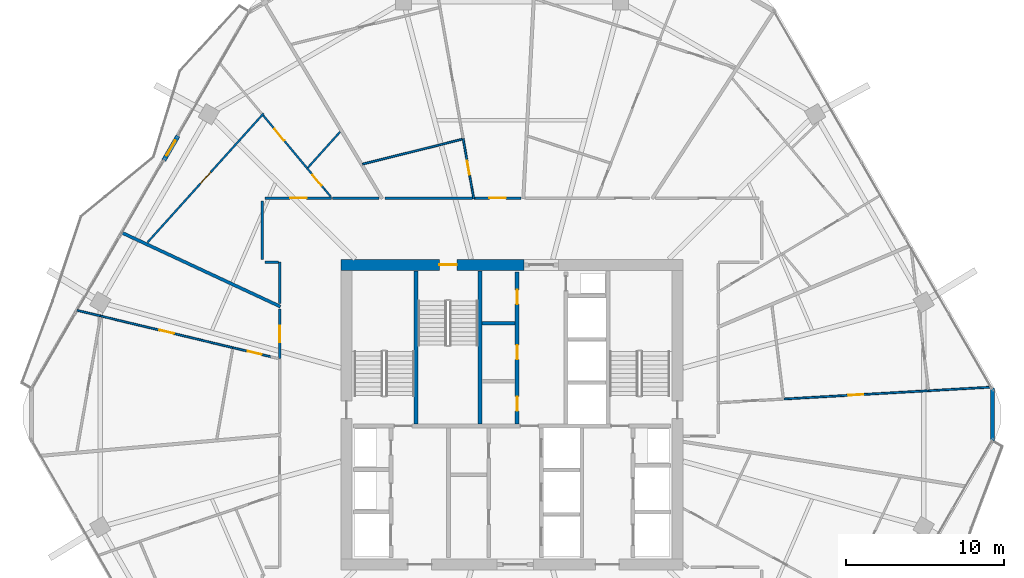
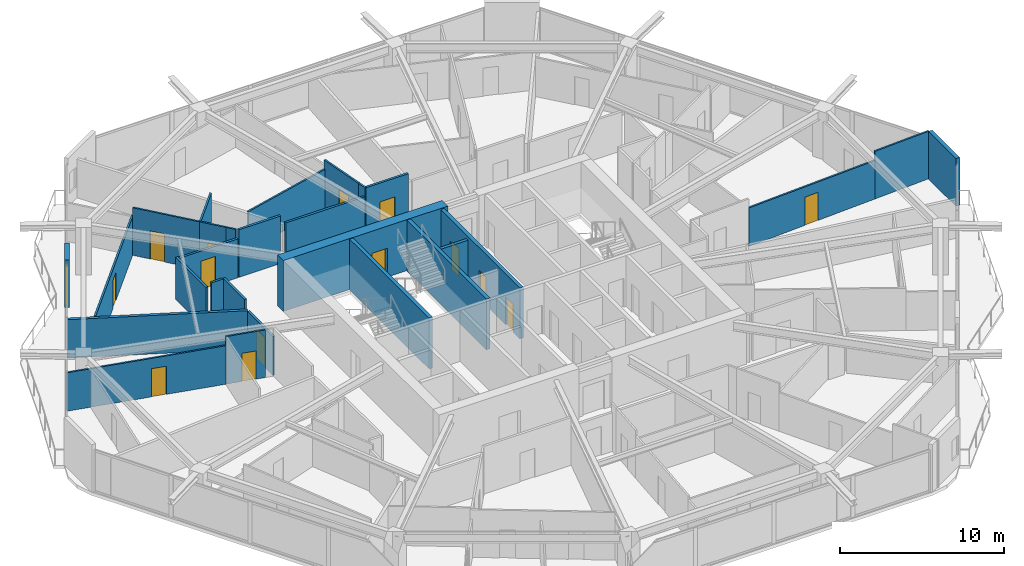
# One storey, part 20 of 26: 29 walls, 15 doors, 15 openings.
"""IFC4 building model written with IfcOpenShell, lengths in metres."""

from ifc_helpers import new_model, si_unit, direction, frame, frame_2d, origin, place, context, subcontext, project, spatial, rectangle, extrude, material, layer, layer_set, type_object, element, fill, save


model = new_model("IFC4")

# Units and contexts
model_context = context("Model", 3, precision=1e-05, world=origin(), true_north=direction((0.0, 1.0)))
body_context = subcontext(model_context, "Body", "Model", "MODEL_VIEW")
ifc_project = project(units=[si_unit("LENGTHUNIT", "METRE"), si_unit("AREAUNIT", "SQUARE_METRE"), si_unit("VOLUMEUNIT", "CUBIC_METRE"), si_unit("PLANEANGLEUNIT", "RADIAN"), si_unit("MASSUNIT", "GRAM", prefix="KILO")], contexts=[model_context])

# Site, building, storey
site_placement = place(None, origin())
site = spatial("IfcSite", under=ifc_project, at=site_placement, CompositionType="ELEMENT")
building_placement = place(site_placement, origin())
building = spatial("IfcBuilding", under=site, at=building_placement, Name="Zuhravey Tower", CompositionType="ELEMENT")
storey_placement = place(building_placement, frame((0.0, 0.0, 165.60009765625)))
storey = spatial("IfcBuildingStorey", under=building, at=storey_placement, Name="L41", CompositionType="ELEMENT", Elevation=165.60009765625)

# Wall, opening, door
ifc_material_1 = material(Name="Concrete C60/75", Category="concrete")
ifc_layer_1 = layer(ifc_material_1, 0.699951171875)
ifc_layer_set_1 = layer_set([ifc_layer_1], Name="Concrete C60/75")
wall_type_1 = type_object("IfcWallType", Name="Core Shear Wall 700", PredefinedType="SHEAR", material=ifc_layer_set_1)
wall_1_placement = place(storey_placement, frame((36.75, 41.5, 0.0), z_axis=(0.0, 0.0, 1.0), x_axis=(-1.0, 0.0, 0.0)))
wall_1 = element("IfcWall", 1, at=wall_1_placement, inside=storey, type_object=wall_type_1, Name="L41 North-West Core Shear Wall CW70", PredefinedType="SHEAR", context=body_context, shape_type="SweptSolid", body=[
    extrude(rectangle(XDim=11.60009765625, YDim=0.699951171875, at=frame_2d((5.800048828125, 0.0))), origin(), (0.0, 0.0, 1.0), 3.7998046875),
])
opening_1_placement = place(wall_1_placement, frame((4.25, 0.0, 0.0)))
opening_1 = element("IfcOpeningElement", 2, at=opening_1_placement, cuts=wall_1, Name="Opening STD1", PredefinedType="OPENING", context=body_context, shape_type="SweptSolid", body=[
    extrude(rectangle(XDim=1.10009765625, YDim=2.14990234375, at=frame_2d((0.550048828125, 1.074951171875))), frame((0.0, 0.362060546875, 0.0), z_axis=(0.0, -1.0, 0.0), x_axis=(1.0, 0.0, 0.0)), (0.0, 0.0, 1.0), 0.723876953125),
])
ifc_material_2 = material(Name="Galvanised fire-rated steel leaf", Category="steel")
door_type_1 = type_object("IfcDoorType", Name="Protected Stair Fire Door 1100x2150", OperationType="NOTDEFINED", PredefinedType="USERDEFINED", material=ifc_material_2)
door_1_placement = place(opening_1_placement, origin())
door_1 = element("IfcDoor", 3, at=door_1_placement, inside=storey, type_object=door_type_1, Name="L41 Stair ST3 Door", ObjectType="EXITDOOR", OperationType="SINGLE_SWING_RIGHT", OverallHeight=2.14990234375, OverallWidth=1.10009765625, PredefinedType="USERDEFINED", context=body_context, shape_type="SweptSolid", body=[
    extrude(rectangle(XDim=1.10009765625, YDim=2.14990234375, at=frame_2d((0.550048828125, 1.074951171875))), frame((0.0, 0.02490234375, 0.0), z_axis=(0.0, -1.0, 0.0), x_axis=(1.0, 0.0, 0.0)), (0.0, 0.0, 1.0), 0.050048828125),
])
fill(opening_1, door_1)

ifc_material_3 = material(Name="Gypsum fire-rated stud partition")
ifc_layer_2 = layer(ifc_material_3, 0.159912109375)
ifc_layer_set_2 = layer_set([ifc_layer_2], Name="Gypsum fire-rated stud partition")
wall_type_2 = type_object("IfcWallType", Name="Corridor Fire Partition 160", PredefinedType="PARTITIONING", material=ifc_layer_set_2)
wall_2_placement = place(storey_placement, frame((36.579345703125, 45.72998046875, 0.0), z_axis=(0.0, 0.0, 1.0), x_axis=(-1.0, 0.0, 0.0)))
wall_2 = element("IfcWall", 4, at=wall_2_placement, inside=storey, type_object=wall_type_2, Name="L41 IW16 Partition 032", PredefinedType="PARTITIONING", context=body_context, shape_type="SweptSolid", body=[
    extrude(rectangle(XDim=2.98974609375, YDim=0.159912109375, at=frame_2d((1.494873046875, 0.0))), origin(), (0.0, 0.0, 1.0), 3.5498046875),
])
opening_2_placement = place(wall_2_placement, frame((0.969970703125, 0.0, 0.0)))
opening_2 = element("IfcOpeningElement", 5, at=opening_2_placement, cuts=wall_2, Name="Opening APD1", PredefinedType="OPENING", context=body_context, shape_type="SweptSolid", body=[
    extrude(rectangle(XDim=1.050048828125, YDim=2.14990234375, at=frame_2d((0.52490234375, 1.074951171875))), frame((0.0, 0.092041015625, 0.0), z_axis=(0.0, -1.0, 0.0), x_axis=(1.0, 0.0, 0.0)), (0.0, 0.0, 1.0), 0.183837890625),
])
ifc_material_4 = material(Name="Solid-core oak fire-rated leaf")
door_type_2 = type_object("IfcDoorType", Name="Apartment Entrance Fire Door 1050x2150", OperationType="NOTDEFINED", PredefinedType="DOOR", material=ifc_material_4)
door_2_placement = place(opening_2_placement, frame((1.050048828125, 0.0, 0.0), z_axis=(0.0, 0.0, 1.0), x_axis=(-1.0, 0.0, 0.0)))
door_2 = element("IfcDoor", 6, at=door_2_placement, inside=storey, type_object=door_type_2, Name="L41 Door 032.1", OperationType="SINGLE_SWING_RIGHT", OverallHeight=2.14990234375, OverallWidth=1.050048828125, PredefinedType="DOOR", context=body_context, shape_type="SweptSolid", body=[
    extrude(rectangle(XDim=1.050048828125, YDim=2.14990234375, at=frame_2d((0.52490234375, 1.074951171875))), frame((0.0, 0.02490234375, 0.0), z_axis=(0.0, -1.0, 0.0), x_axis=(1.0, 0.0, 0.0)), (0.0, 0.0, 1.0), 0.050048828125),
])
fill(opening_2, door_2)

wall_3_placement = place(storey_placement, frame((24.554931640625, 45.72998046875, 0.0), z_axis=(0.0, 0.0, 1.0), x_axis=(-1.0, 0.0, 0.0)))
wall_3 = element("IfcWall", 7, at=wall_3_placement, inside=storey, type_object=wall_type_2, Name="L41 IW16 Partition 037", PredefinedType="PARTITIONING", context=body_context, shape_type="SweptSolid", body=[
    extrude(rectangle(XDim=4.204833984375, YDim=0.159912109375, at=frame_2d((2.1025390625, 0.0))), origin(), (0.0, 0.0, 1.0), 2.89990234375),
])
opening_3_placement = place(wall_3_placement, frame((1.577392578125, 0.0, 0.0)))
opening_3 = element("IfcOpeningElement", 8, at=opening_3_placement, cuts=wall_3, Name="Opening APD1", PredefinedType="OPENING", context=body_context, shape_type="SweptSolid", body=[
    extrude(rectangle(XDim=1.050048828125, YDim=2.14990234375, at=frame_2d((0.52490234375, 1.074951171875))), frame((0.0, 0.092041015625, 0.0), z_axis=(0.0, -1.0, 0.0), x_axis=(1.0, 0.0, 0.0)), (0.0, 0.0, 1.0), 0.183837890625),
])
door_3_placement = place(opening_3_placement, origin())
door_3 = element("IfcDoor", 9, at=door_3_placement, inside=storey, type_object=door_type_2, Name="L41 Door 037.1", OperationType="SINGLE_SWING_RIGHT", OverallHeight=2.14990234375, OverallWidth=1.050048828125, PredefinedType="DOOR", context=body_context, shape_type="SweptSolid", body=[
    extrude(rectangle(XDim=1.050048828125, YDim=2.14990234375, at=frame_2d((0.52490234375, 1.074951171875))), frame((0.0, 0.02490234375, 0.0), z_axis=(0.0, -1.0, 0.0), x_axis=(1.0, 0.0, 0.0)), (0.0, 0.0, 1.0), 0.050048828125),
])
fill(opening_3, door_3)

wall_4_placement = place(storey_placement, frame((21.27001953125, 38.69091796875, 0.0), z_axis=(0.0, 0.0, 1.0), x_axis=(0.0, -1.0, 0.0)))
wall_4 = element("IfcWall", 10, at=wall_4_placement, inside=storey, type_object=wall_type_2, Name="L41 IW16 Partition 041", PredefinedType="PARTITIONING", context=body_context, shape_type="SweptSolid", body=[
    extrude(rectangle(XDim=3.139404296875, YDim=0.159912109375, at=frame_2d((1.56982421875, 0.0))), origin(), (0.0, 0.0, 1.0), 2.89990234375),
])
opening_4_placement = place(wall_4_placement, frame((1.044677734375, 0.0, 0.0)))
opening_4 = element("IfcOpeningElement", 11, at=opening_4_placement, cuts=wall_4, Name="Opening APD1", PredefinedType="OPENING", context=body_context, shape_type="SweptSolid", body=[
    extrude(rectangle(XDim=1.050048828125, YDim=2.14990234375, at=frame_2d((0.52490234375, 1.074951171875))), frame((0.0, 0.092041015625, 0.0), z_axis=(0.0, -1.0, 0.0), x_axis=(1.0, 0.0, 0.0)), (0.0, 0.0, 1.0), 0.183837890625),
])
door_4_placement = place(opening_4_placement, frame((1.050048828125, 0.0, 0.0), z_axis=(0.0, 0.0, 1.0), x_axis=(-1.0, 0.0, 0.0)))
door_4 = element("IfcDoor", 12, at=door_4_placement, inside=storey, type_object=door_type_2, Name="L41 Door 041.1", OperationType="SINGLE_SWING_RIGHT", OverallHeight=2.14990234375, OverallWidth=1.050048828125, PredefinedType="DOOR", context=body_context, shape_type="SweptSolid", body=[
    extrude(rectangle(XDim=1.050048828125, YDim=2.14990234375, at=frame_2d((0.52490234375, 1.074951171875))), frame((0.0, 0.02490234375, 0.0), z_axis=(0.0, -1.0, 0.0), x_axis=(1.0, 0.0, 0.0)), (0.0, 0.0, 1.0), 0.050048828125),
])
fill(opening_4, door_4)

# Walls
wall_5_placement = place(storey_placement, frame((33.5, 45.72998046875, 0.0), z_axis=(0.0, 0.0, 1.0), x_axis=(-1.0, 0.0, 0.0)))
element("IfcWall", 13, at=wall_5_placement, inside=storey, type_object=wall_type_2, Name="L41 IW16 Partition 128", PredefinedType="PARTITIONING", context=body_context, shape_type="SweptSolid", body=[
    extrude(rectangle(XDim=5.564453125, YDim=0.159912109375, at=frame_2d((2.7822265625, 0.0))), origin(), (0.0, 0.0, 1.0), 2.89990234375),
])
wall_6_placement = place(storey_placement, frame((20.169921875, 45.550048828125, 0.0), z_axis=(0.0, 0.0, 1.0), x_axis=(0.0, -1.0, 0.0)))
element("IfcWall", 14, at=wall_6_placement, inside=storey, type_object=wall_type_2, Name="L41 IW16 Partition 129", PredefinedType="PARTITIONING", context=body_context, shape_type="SweptSolid", body=[
    extrude(rectangle(XDim=3.699951171875, YDim=0.159912109375, at=frame_2d((1.85009765625, 0.0))), origin(), (0.0, 0.0, 1.0), 3.14990234375),
])
wall_7_placement = place(storey_placement, frame((21.27001953125, 41.669921875, 0.0), z_axis=(0.0, 0.0, 1.0), x_axis=(0.0, -1.0, 0.0)))
element("IfcWall", 15, at=wall_7_placement, inside=storey, type_object=wall_type_2, Name="L41 IW16 Partition 130", PredefinedType="PARTITIONING", context=body_context, shape_type="SweptSolid", body=[
    extrude(rectangle(XDim=2.621826171875, YDim=0.159912109375, at=frame_2d((1.31103515625, 0.0))), origin(), (0.0, 0.0, 1.0), 3.5498046875),
])
wall_8_placement = place(storey_placement, frame((20.35009765625, 41.669921875, 0.0), z_axis=(0.0, 0.0, 1.0), x_axis=(1.0, 0.0, 0.0)))
element("IfcWall", 16, at=wall_8_placement, inside=storey, type_object=wall_type_2, Name="L41 IW16 Partition 131", PredefinedType="PARTITIONING", context=body_context, shape_type="SweptSolid", body=[
    extrude(rectangle(XDim=0.831787109375, YDim=0.159912109375, at=frame_2d((0.416015625, 0.0))), origin(), (0.0, 0.0, 1.0), 3.5498046875),
])
wall_9_placement = place(storey_placement, frame((27.562744140625, 45.72998046875, 0.0), z_axis=(0.0, 0.0, 1.0), x_axis=(-1.0, 0.0, 0.0)))
element("IfcWall", 17, at=wall_9_placement, inside=storey, type_object=wall_type_2, Name="L41 IW16 Partition 132", PredefinedType="PARTITIONING", context=body_context, shape_type="SweptSolid", body=[
    extrude(rectangle(XDim=2.955810546875, YDim=0.159912109375, at=frame_2d((1.47802734375, 0.0))), origin(), (0.0, 0.0, 1.0), 3.5498046875),
])

# Wall, opening, door
ifc_material_5 = material(Name="Precast concrete C40/50", Category="concrete")
ifc_layer_3 = layer(ifc_material_5, 0.280029296875)
ifc_layer_set_3 = layer_set([ifc_layer_3], Name="Precast concrete C40/50")
wall_type_3 = type_object("IfcWallType", Name="Crown Architectural Wall 280", PredefinedType="SOLIDWALL", material=ifc_layer_set_3)
wall_10_placement = place(storey_placement, frame((13.9248046875, 48.130615234375, 0.0), z_axis=(0.0, 0.0, 1.0), x_axis=(0.49987987985, 0.866094744079, 0.0)))
wall_10 = element("IfcWall", 18, at=wall_10_placement, inside=storey, type_object=wall_type_3, Name="L41 Face 3 Facade Pier EW28-1", PredefinedType="SOLIDWALL", context=body_context, shape_type="SweptSolid", body=[
    extrude(rectangle(XDim=1.7900390625, YDim=0.280029296875, at=frame_2d((0.89501953125, 0.0))), origin(), (0.0, 0.0, 1.0), 3.5498046875),
])
opening_5_placement = place(wall_10_placement, frame((0.344970703125, 0.0, 0.0)))
opening_5 = element("IfcOpeningElement", 19, at=opening_5_placement, cuts=wall_10, Name="Opening BLD1", PredefinedType="OPENING", context=body_context, shape_type="SweptSolid", body=[
    extrude(rectangle(XDim=1.10009765625, YDim=2.199951171875, at=frame_2d((0.550048828125, 1.10009765625))), frame((0.0, 0.152099609375, 0.0), z_axis=(0.0, -1.0, 0.0), x_axis=(1.0, 0.0, 0.0)), (0.0, 0.0, 1.0), 0.303955078125),
])
ifc_material_6 = material(Name="Thermally broken aluminium and low-E glass", Category="aluminium")
door_type_3 = type_object("IfcDoorType", Name="Balcony & Sky-Tray Glazed Door 1100x2200", OperationType="NOTDEFINED", PredefinedType="DOOR", material=ifc_material_6)
door_5_placement = place(opening_5_placement, frame((1.10009765625, 0.0, 0.0), z_axis=(0.0, 0.0, 1.0), x_axis=(-1.0, 0.0, 0.0)))
door_5 = element("IfcDoor", 20, at=door_5_placement, inside=storey, type_object=door_type_3, Name="L41 Face 3 Wave Balcony Door", OperationType="SINGLE_SWING_RIGHT", OverallHeight=2.199951171875, OverallWidth=1.10009765625, PredefinedType="DOOR", context=body_context, shape_type="SweptSolid", body=[
    extrude(rectangle(XDim=1.10009765625, YDim=2.199951171875, at=frame_2d((0.550048828125, 1.10009765625))), frame((0.0, 0.02490234375, 0.0), z_axis=(0.0, -1.0, 0.0), x_axis=(1.0, 0.0, 0.0)), (0.0, 0.0, 1.0), 0.050048828125),
])
fill(opening_5, door_5)

# Walls
wall_11_placement = place(storey_placement, frame((66.4716796875, 33.6826171875, 0.0), z_axis=(0.0, 0.0, 1.0), x_axis=(0.0, -1.0, 0.0)))
element("IfcWall", 21, at=wall_11_placement, inside=storey, type_object=wall_type_3, Name="L41 Rounded Corner Closure Wall EW28-12", PredefinedType="SOLIDWALL", context=body_context, shape_type="SweptSolid", body=[
    extrude(rectangle(XDim=3.365234375, YDim=0.280029296875, at=frame_2d((1.6826171875, 0.0))), origin(), (0.0, 0.0, 1.0), 3.5498046875),
])
ifc_material_7 = material(Name="Concrete C50/60", Category="concrete")
ifc_layer_4 = layer(ifc_material_7, 0.25)
ifc_layer_set_4 = layer_set([ifc_layer_4], Name="Concrete C50/60")
wall_type_4 = type_object("IfcWallType", Name="Firefighting Shaft & Stair Wall 250", PredefinedType="SOLIDWALL", material=ifc_layer_set_4)
for number, where, z_axis, x_axis, name in (
    (22, (29.925048828125, 31.39990234375, 0.0), (0.0, 0.0, 1.0), (0.0, 1.0, 0.0), "L41 FW25 Shaft Wall 004"),
    (23, (33.97509765625, 31.39990234375, 0.0), (0.0, 0.0, 1.0), (0.0, 1.0, 0.0), "L41 FW25 Shaft Wall 005"),
):
    element("IfcWall", number, at=place(storey_placement, frame(where, z_axis=z_axis, x_axis=x_axis)), inside=storey, type_object=wall_type_4, Name=name, PredefinedType="SOLIDWALL", context=body_context, shape_type="SweptSolid", body=[
        extrude(rectangle(XDim=9.7001953125, YDim=0.25, at=frame_2d((4.85009765625, 0.0))), origin(), (0.0, 0.0, 1.0), 3.7998046875),
    ])

# Wall, openings, doors
wall_12_placement = place(storey_placement, frame((36.324951171875, 31.39990234375, 0.0), z_axis=(0.0, 0.0, 1.0), x_axis=(0.0, 1.0, 0.0)))
wall_12 = element("IfcWall", 24, at=wall_12_placement, inside=storey, type_object=wall_type_4, Name="L41 FW25 Shaft Wall 007", PredefinedType="SOLIDWALL", context=body_context, shape_type="SweptSolid", body=[
    extrude(rectangle(XDim=9.650146484375, YDim=0.25, at=frame_2d((4.8251953125, 0.0))), origin(), (0.0, 0.0, 1.0), 3.7998046875),
])
opening_6_placement = place(wall_12_placement, frame((0.840087890625, 0.0, 0.0)))
opening_6 = element("IfcOpeningElement", 25, at=opening_6_placement, cuts=wall_12, Name="Opening RSD1", PredefinedType="OPENING", context=body_context, shape_type="SweptSolid", body=[
    extrude(rectangle(XDim=0.89990234375, YDim=2.10009765625, at=frame_2d((0.449951171875, 1.050048828125))), frame((0.0, 0.136962890625, 0.0), z_axis=(0.0, -1.0, 0.0), x_axis=(1.0, 0.0, 0.0)), (0.0, 0.0, 1.0), 0.27392578125),
])
opening_7_placement = place(wall_12_placement, frame((4.10009765625, 0.0, 0.0)))
opening_7 = element("IfcOpeningElement", 26, at=opening_7_placement, cuts=wall_12, Name="Opening RSD1", PredefinedType="OPENING", context=body_context, shape_type="SweptSolid", body=[
    extrude(rectangle(XDim=0.89990234375, YDim=2.10009765625, at=frame_2d((0.449951171875, 1.050048828125))), frame((0.0, 0.136962890625, 0.0), z_axis=(0.0, -1.0, 0.0), x_axis=(1.0, 0.0, 0.0)), (0.0, 0.0, 1.0), 0.27392578125),
])
opening_8_placement = place(wall_12_placement, frame((7.610107421875, 0.0, 0.0)))
opening_8 = element("IfcOpeningElement", 27, at=opening_8_placement, cuts=wall_12, Name="Opening RSD1", PredefinedType="OPENING", context=body_context, shape_type="SweptSolid", body=[
    extrude(rectangle(XDim=0.89990234375, YDim=2.10009765625, at=frame_2d((0.449951171875, 1.050048828125))), frame((0.0, 0.136962890625, 0.0), z_axis=(0.0, -1.0, 0.0), x_axis=(1.0, 0.0, 0.0)), (0.0, 0.0, 1.0), 0.27392578125),
])
ifc_material_8 = material(Name="Galvanised fire-rated steel access leaf", Category="steel")
door_type_4 = type_object("IfcDoorType", Name="Riser & Shaft Access Fire Door 900x2100", OperationType="NOTDEFINED", PredefinedType="DOOR", material=ifc_material_8)
door_6_placement = place(opening_6_placement, origin())
door_6 = element("IfcDoor", 28, at=door_6_placement, inside=storey, type_object=door_type_4, Name="L41 Core Staff WC Door", OperationType="SINGLE_SWING_RIGHT", OverallHeight=2.10009765625, OverallWidth=0.89990234375, PredefinedType="DOOR", context=body_context, shape_type="SweptSolid", body=[
    extrude(rectangle(XDim=0.89990234375, YDim=2.10009765625, at=frame_2d((0.449951171875, 1.050048828125))), frame((0.0, 0.02490234375, 0.0), z_axis=(0.0, -1.0, 0.0), x_axis=(1.0, 0.0, 0.0)), (0.0, 0.0, 1.0), 0.050048828125),
])
fill(opening_6, door_6)
door_7_placement = place(opening_7_placement, origin())
door_7 = element("IfcDoor", 29, at=door_7_placement, inside=storey, type_object=door_type_4, Name="L41 IT and Comms Room Door", OperationType="SINGLE_SWING_LEFT", OverallHeight=2.10009765625, OverallWidth=0.89990234375, PredefinedType="DOOR", context=body_context, shape_type="SweptSolid", body=[
    extrude(rectangle(XDim=0.89990234375, YDim=2.10009765625, at=frame_2d((0.449951171875, 1.050048828125))), frame((0.0, 0.02490234375, 0.0), z_axis=(0.0, -1.0, 0.0), x_axis=(1.0, 0.0, 0.0)), (0.0, 0.0, 1.0), 0.050048828125),
])
fill(opening_7, door_7)
door_8_placement = place(opening_8_placement, origin())
door_8 = element("IfcDoor", 30, at=door_8_placement, inside=storey, type_object=door_type_4, Name="L41 Janitor Linen Store Door", OperationType="SINGLE_SWING_RIGHT", OverallHeight=2.10009765625, OverallWidth=0.89990234375, PredefinedType="DOOR", context=body_context, shape_type="SweptSolid", body=[
    extrude(rectangle(XDim=0.89990234375, YDim=2.10009765625, at=frame_2d((0.449951171875, 1.050048828125))), frame((0.0, 0.02490234375, 0.0), z_axis=(0.0, -1.0, 0.0), x_axis=(1.0, 0.0, 0.0)), (0.0, 0.0, 1.0), 0.050048828125),
])
fill(opening_8, door_8)

# Walls
ifc_material_9 = material(Name="Gypsum double-stud party assembly")
ifc_layer_5 = layer(ifc_material_9, 0.199951171875)
ifc_layer_set_5 = layer_set([ifc_layer_5], Name="Gypsum double-stud party assembly")
wall_type_5 = type_object("IfcWallType", Name="Inter-Tenancy Party Wall 200", PredefinedType="PARTITIONING", material=ifc_layer_set_5)
wall_13_placement = place(storey_placement, frame((21.31005859375, 38.85009765625, 0.0), z_axis=(0.0, 0.0, 1.0), x_axis=(-0.906310899559, 0.422611586851, 0.0)))
element("IfcWall", 31, at=wall_13_placement, inside=storey, type_object=wall_type_5, Name="L41 IW20 Partition 092", PredefinedType="PARTITIONING", context=body_context, shape_type="SweptSolid", body=[
    extrude(rectangle(XDim=11.078369140625, YDim=0.199951171875, at=frame_2d((5.5390625, 0.0))), origin(), (0.0, 0.0, 1.0), 2.869873046875),
])
ifc_material_10 = material(Name="Gypsum acoustic stud assembly")
ifc_layer_6 = layer(ifc_material_10, 0.219970703125)
ifc_layer_set_6 = layer_set([ifc_layer_6], Name="Gypsum acoustic stud assembly")
wall_type_6 = type_object("IfcWallType", Name="School Acoustic Compartment Wall 220", PredefinedType="PARTITIONING", material=ifc_layer_set_6)
wall_14_placement = place(storey_placement, frame((34.10791015625, 37.800048828125, 0.0), z_axis=(0.0, 0.0, 1.0), x_axis=(1.0, 0.0, 0.0)))
element("IfcWall", 32, at=wall_14_placement, inside=storey, type_object=wall_type_6, Name="L41 IW22 Partition 068", PredefinedType="PARTITIONING", context=body_context, shape_type="SweptSolid", body=[
    extrude(rectangle(XDim=2.083984375, YDim=0.219970703125, at=frame_2d((1.0419921875, 0.0))), origin(), (0.0, 0.0, 1.0), 3.5498046875),
])

# Wall, opening, door
ifc_material_11 = material(Name="Gypsum metal-stud partition")
ifc_layer_7 = layer(ifc_material_11, 0.1201171875)
ifc_layer_set_7 = layer_set([ifc_layer_7], Name="Gypsum metal-stud partition")
wall_type_7 = type_object("IfcWallType", Name="Unit Internal Partition 120", PredefinedType="PARTITIONING", material=ifc_layer_set_7)
wall_15_placement = place(storey_placement, frame((33.46826171875, 46.300048828125, 0.0), z_axis=(0.0, 0.0, 1.0), x_axis=(-0.174363613102, 0.984681334456, 0.0)))
wall_15 = element("IfcWall", 33, at=wall_15_placement, inside=storey, type_object=wall_type_7, Name="L41 IW12 Partition 029", PredefinedType="PARTITIONING", context=body_context, shape_type="SweptSolid", body=[
    extrude(rectangle(XDim=3.251220703125, YDim=0.1201171875, at=frame_2d((1.62548828125, 0.0))), origin(), (0.0, 0.0, 1.0), 3.5498046875),
])
opening_9_placement = place(wall_15_placement, frame((0.91552734375, 0.0, 0.0)))
opening_9 = element("IfcOpeningElement", 34, at=opening_9_placement, cuts=wall_15, Name="Opening WCD1", PredefinedType="OPENING", context=body_context, shape_type="SweptSolid", body=[
    extrude(rectangle(XDim=0.89990234375, YDim=2.10009765625, at=frame_2d((0.449951171875, 1.050048828125))), frame((0.0, 0.072021484375, 0.0), z_axis=(0.0, -1.0, 0.0), x_axis=(1.0, 0.0, 0.0)), (0.0, 0.0, 1.0), 0.14404296875),
])
ifc_material_12 = material(Name="Moisture-resistant timber leaf", Category="wood")
door_type_5 = type_object("IfcDoorType", Name="Bathroom & WC Internal Door 900x2100", OperationType="NOTDEFINED", PredefinedType="DOOR", material=ifc_material_12)
door_9_placement = place(opening_9_placement, origin())
door_9 = element("IfcDoor", 35, at=door_9_placement, inside=storey, type_object=door_type_5, Name="Apartment L41-03 Bathroom Door", OperationType="SINGLE_SWING_LEFT", OverallHeight=2.10009765625, OverallWidth=0.89990234375, PredefinedType="DOOR", context=body_context, shape_type="SweptSolid", body=[
    extrude(rectangle(XDim=0.89990234375, YDim=2.10009765625, at=frame_2d((0.449951171875, 1.050048828125))), frame((0.0, 0.02490234375, 0.0), z_axis=(0.0, -1.0, 0.0), x_axis=(1.0, 0.0, 0.0)), (0.0, 0.0, 1.0), 0.050048828125),
])
fill(opening_9, door_9)

wall_16_placement = place(storey_placement, frame((20.24755859375, 51.0966796875, 0.0), z_axis=(0.0, 0.0, 1.0), x_axis=(-0.669133806592, -0.743141943962, 0.0)))
wall_16 = element("IfcWall", 36, at=wall_16_placement, inside=storey, type_object=wall_type_7, Name="L41 IW12 Partition 033", PredefinedType="PARTITIONING", context=body_context, shape_type="SweptSolid", body=[
    extrude(rectangle(XDim=11.00830078125, YDim=0.1201171875, at=frame_2d((5.504150390625, 0.0))), origin(), (0.0, 0.0, 1.0), 2.89990234375),
])
opening_10_placement = place(wall_16_placement, frame((5.029052734375, 0.0, 0.0)))
opening_10 = element("IfcOpeningElement", 37, at=opening_10_placement, cuts=wall_16, Name="Opening IND1", PredefinedType="OPENING", context=body_context, shape_type="SweptSolid", body=[
    extrude(rectangle(XDim=0.949951171875, YDim=2.10009765625, at=frame_2d((0.47509765625, 1.050048828125))), frame((0.0, 0.072021484375, 0.0), z_axis=(0.0, -1.0, 0.0), x_axis=(1.0, 0.0, 0.0)), (0.0, 0.0, 1.0), 0.14404296875),
])
ifc_material_13 = material(Name="Painted engineered timber leaf", Category="wood")
door_type_6 = type_object("IfcDoorType", Name="Internal Room & Bedroom Door 950x2100", OperationType="NOTDEFINED", PredefinedType="DOOR", material=ifc_material_13)
door_10_placement = place(opening_10_placement, frame((0.949951171875, 0.0, 0.0), z_axis=(0.0, 0.0, 1.0), x_axis=(-1.0, 0.0, 0.0)))
door_10 = element("IfcDoor", 38, at=door_10_placement, inside=storey, type_object=door_type_6, Name="Apartment L41-04 Family Study Door", OperationType="SINGLE_SWING_LEFT", OverallHeight=2.10009765625, OverallWidth=0.949951171875, PredefinedType="DOOR", context=body_context, shape_type="SweptSolid", body=[
    extrude(rectangle(XDim=0.949951171875, YDim=2.10009765625, at=frame_2d((0.47509765625, 1.050048828125))), frame((0.0, 0.02490234375, 0.0), z_axis=(0.0, -1.0, 0.0), x_axis=(1.0, 0.0, 0.0)), (0.0, 0.0, 1.0), 0.050048828125),
])
fill(opening_10, door_10)

wall_17_placement = place(storey_placement, frame((24.106689453125, 46.300048828125, 0.0), z_axis=(0.0, 0.0, 1.0), x_axis=(-0.639380963996, 0.76889009805, 0.0)))
wall_17 = element("IfcWall", 39, at=wall_17_placement, inside=storey, type_object=wall_type_7, Name="L41 IW12 Partition 034", PredefinedType="PARTITIONING", context=body_context, shape_type="SweptSolid", body=[
    extrude(rectangle(XDim=1.734375, YDim=0.1201171875, at=frame_2d((0.8671875, 0.0))), origin(), (0.0, 0.0, 1.0), 3.5498046875),
])
opening_11_placement = place(wall_17_placement, frame((0.2783203125, 0.0, 0.0)))
opening_11 = element("IfcOpeningElement", 40, at=opening_11_placement, cuts=wall_17, Name="Opening WCD1", PredefinedType="OPENING", context=body_context, shape_type="SweptSolid", body=[
    extrude(rectangle(XDim=0.89990234375, YDim=2.10009765625, at=frame_2d((0.449951171875, 1.050048828125))), frame((0.0, 0.072021484375, 0.0), z_axis=(0.0, -1.0, 0.0), x_axis=(1.0, 0.0, 0.0)), (0.0, 0.0, 1.0), 0.14404296875),
])
door_11_placement = place(opening_11_placement, frame((0.89990234375, 0.0, 0.0), z_axis=(0.0, 0.0, 1.0), x_axis=(-1.0, 0.0, 0.0)))
door_11 = element("IfcDoor", 41, at=door_11_placement, inside=storey, type_object=door_type_5, Name="Apartment L41-04 Bathroom Door", OperationType="SINGLE_SWING_RIGHT", OverallHeight=2.10009765625, OverallWidth=0.89990234375, PredefinedType="DOOR", context=body_context, shape_type="SweptSolid", body=[
    extrude(rectangle(XDim=0.89990234375, YDim=2.10009765625, at=frame_2d((0.449951171875, 1.050048828125))), frame((0.0, 0.02490234375, 0.0), z_axis=(0.0, -1.0, 0.0), x_axis=(1.0, 0.0, 0.0)), (0.0, 0.0, 1.0), 0.050048828125),
])
fill(opening_11, door_11)

wall_18_placement = place(storey_placement, frame((22.997802734375, 47.633544921875, 0.0), z_axis=(0.0, 0.0, 1.0), x_axis=(-0.639447858882, 0.76883446578, 0.0)))
wall_18 = element("IfcWall", 42, at=wall_18_placement, inside=storey, type_object=wall_type_7, Name="L41 IW12 Partition 035", PredefinedType="PARTITIONING", context=body_context, shape_type="SweptSolid", body=[
    extrude(rectangle(XDim=4.337890625, YDim=0.1201171875, at=frame_2d((2.1689453125, 0.0))), origin(), (0.0, 0.0, 1.0), 3.5498046875),
])
opening_12_placement = place(wall_18_placement, frame((2.25732421875, 0.0, 0.0)))
opening_12 = element("IfcOpeningElement", 43, at=opening_12_placement, cuts=wall_18, Name="Opening IND1", PredefinedType="OPENING", context=body_context, shape_type="SweptSolid", body=[
    extrude(rectangle(XDim=0.949951171875, YDim=2.10009765625, at=frame_2d((0.47509765625, 1.050048828125))), frame((0.0, 0.072021484375, 0.0), z_axis=(0.0, -1.0, 0.0), x_axis=(1.0, 0.0, 0.0)), (0.0, 0.0, 1.0), 0.14404296875),
])
door_12_placement = place(opening_12_placement, frame((0.949951171875, 0.0, 0.0), z_axis=(0.0, 0.0, 1.0), x_axis=(-1.0, 0.0, 0.0)))
door_12 = element("IfcDoor", 44, at=door_12_placement, inside=storey, type_object=door_type_6, Name="Apartment L41-04 Bedroom 1 Door", OperationType="SINGLE_SWING_LEFT", OverallHeight=2.10009765625, OverallWidth=0.949951171875, PredefinedType="DOOR", context=body_context, shape_type="SweptSolid", body=[
    extrude(rectangle(XDim=0.949951171875, YDim=2.10009765625, at=frame_2d((0.47509765625, 1.050048828125))), frame((0.0, 0.02490234375, 0.0), z_axis=(0.0, -1.0, 0.0), x_axis=(1.0, 0.0, 0.0)), (0.0, 0.0, 1.0), 0.050048828125),
])
fill(opening_12, door_12)

wall_19_placement = place(storey_placement, frame((20.699951171875, 35.66748046875, 0.0), z_axis=(0.0, 0.0, 1.0), x_axis=(-0.972436171126, 0.233169237004, 0.0)))
wall_19 = element("IfcWall", 45, at=wall_19_placement, inside=storey, type_object=wall_type_7, Name="L41 IW12 Partition 038", PredefinedType="PARTITIONING", context=body_context, shape_type="SweptSolid", body=[
    extrude(rectangle(XDim=2.492919921875, YDim=0.1201171875, at=frame_2d((1.24658203125, 0.0))), origin(), (0.0, 0.0, 1.0), 3.5498046875),
])
opening_13_placement = place(wall_19_placement, frame((0.59716796875, 0.0, 0.0)))
opening_13 = element("IfcOpeningElement", 46, at=opening_13_placement, cuts=wall_19, Name="Opening WCD1", PredefinedType="OPENING", context=body_context, shape_type="SweptSolid", body=[
    extrude(rectangle(XDim=0.89990234375, YDim=2.10009765625, at=frame_2d((0.449951171875, 1.050048828125))), frame((0.0, 0.072021484375, 0.0), z_axis=(0.0, -1.0, 0.0), x_axis=(1.0, 0.0, 0.0)), (0.0, 0.0, 1.0), 0.14404296875),
])
door_13_placement = place(opening_13_placement, origin())
door_13 = element("IfcDoor", 47, at=door_13_placement, inside=storey, type_object=door_type_5, Name="Apartment L41-05 Bathroom Door", OperationType="SINGLE_SWING_LEFT", OverallHeight=2.10009765625, OverallWidth=0.89990234375, PredefinedType="DOOR", context=body_context, shape_type="SweptSolid", body=[
    extrude(rectangle(XDim=0.89990234375, YDim=2.10009765625, at=frame_2d((0.449951171875, 1.050048828125))), frame((0.0, 0.02490234375, 0.0), z_axis=(0.0, -1.0, 0.0), x_axis=(1.0, 0.0, 0.0)), (0.0, 0.0, 1.0), 0.050048828125),
])
fill(opening_13, door_13)

wall_20_placement = place(storey_placement, frame((18.275634765625, 36.248779296875, 0.0), z_axis=(0.0, 0.0, 1.0), x_axis=(-0.972453575949, 0.233096637953, 0.0)))
wall_20 = element("IfcWall", 48, at=wall_20_placement, inside=storey, type_object=wall_type_7, Name="L41 IW12 Partition 039", PredefinedType="PARTITIONING", context=body_context, shape_type="SweptSolid", body=[
    extrude(rectangle(XDim=8.6220703125, YDim=0.1201171875, at=frame_2d((4.31103515625, 0.0))), origin(), (0.0, 0.0, 1.0), 2.869873046875),
])
opening_14_placement = place(wall_20_placement, frame((3.81103515625, 0.0, 0.0)))
opening_14 = element("IfcOpeningElement", 49, at=opening_14_placement, cuts=wall_20, Name="Opening IND1", PredefinedType="OPENING", context=body_context, shape_type="SweptSolid", body=[
    extrude(rectangle(XDim=0.949951171875, YDim=2.10009765625, at=frame_2d((0.47509765625, 1.050048828125))), frame((0.0, 0.072021484375, 0.0), z_axis=(0.0, -1.0, 0.0), x_axis=(1.0, 0.0, 0.0)), (0.0, 0.0, 1.0), 0.14404296875),
])
door_14_placement = place(opening_14_placement, origin())
door_14 = element("IfcDoor", 50, at=door_14_placement, inside=storey, type_object=door_type_6, Name="Apartment L41-05 Home Office Door", OperationType="SINGLE_SWING_RIGHT", OverallHeight=2.10009765625, OverallWidth=0.949951171875, PredefinedType="DOOR", context=body_context, shape_type="SweptSolid", body=[
    extrude(rectangle(XDim=0.949951171875, YDim=2.10009765625, at=frame_2d((0.47509765625, 1.050048828125))), frame((0.0, 0.02490234375, 0.0), z_axis=(0.0, -1.0, 0.0), x_axis=(1.0, 0.0, 0.0)), (0.0, 0.0, 1.0), 0.050048828125),
])
fill(opening_14, door_14)

wall_21_placement = place(storey_placement, frame((53.237060546875, 32.98779296875, 0.0), z_axis=(0.0, 0.0, 1.0), x_axis=(0.998361191425, 0.057227016835, 0.0)))
wall_21 = element("IfcWall", 51, at=wall_21_placement, inside=storey, type_object=wall_type_7, Name="L41 IW12 Partition 064", PredefinedType="PARTITIONING", context=body_context, shape_type="SweptSolid", body=[
    extrude(rectangle(XDim=9.21923828125, YDim=0.1201171875, at=frame_2d((4.609619140625, 0.0))), origin(), (0.0, 0.0, 1.0), 2.869873046875),
])
opening_15_placement = place(wall_21_placement, frame((4.109619140625, 0.0, 0.0)))
opening_15 = element("IfcOpeningElement", 52, at=opening_15_placement, cuts=wall_21, Name="Opening IND1", PredefinedType="OPENING", context=body_context, shape_type="SweptSolid", body=[
    extrude(rectangle(XDim=0.949951171875, YDim=2.10009765625, at=frame_2d((0.47509765625, 1.050048828125))), frame((0.0, 0.072021484375, 0.0), z_axis=(0.0, -1.0, 0.0), x_axis=(1.0, 0.0, 0.0)), (0.0, 0.0, 1.0), 0.14404296875),
])
door_15_placement = place(opening_15_placement, origin())
door_15 = element("IfcDoor", 53, at=door_15_placement, inside=storey, type_object=door_type_6, Name="Apartment L41-11 Home Office Door", OperationType="SINGLE_SWING_LEFT", OverallHeight=2.10009765625, OverallWidth=0.949951171875, PredefinedType="DOOR", context=body_context, shape_type="SweptSolid", body=[
    extrude(rectangle(XDim=0.949951171875, YDim=2.10009765625, at=frame_2d((0.47509765625, 1.050048828125))), frame((0.0, 0.02490234375, 0.0), z_axis=(0.0, -1.0, 0.0), x_axis=(1.0, 0.0, 0.0)), (0.0, 0.0, 1.0), 0.050048828125),
])
fill(opening_15, door_15)

# Walls
wall_22_placement = place(storey_placement, frame((33.576904296875, 45.685302734375, 0.0), z_axis=(0.0, 0.0, 1.0), x_axis=(-0.174030737969, 0.984740220689, 0.0)))
element("IfcWall", 54, at=wall_22_placement, inside=storey, type_object=wall_type_7, Name="L41 IW12 Partition 086", PredefinedType="PARTITIONING", context=body_context, shape_type="SweptSolid", body=[
    extrude(rectangle(XDim=0.624267578125, YDim=0.1201171875, at=frame_2d((0.31201171875, 0.0))), origin(), (0.0, 0.0, 1.0), 3.5498046875),
])
wall_23_placement = place(storey_placement, frame((32.839599609375, 49.46044921875, 0.0), z_axis=(0.0, 0.0, 1.0), x_axis=(-0.970292398296, -0.241935243009, 0.0)))
element("IfcWall", 55, at=wall_23_placement, inside=storey, type_object=wall_type_7, Name="L41 IW12 Partition 088", PredefinedType="PARTITIONING", context=body_context, shape_type="SweptSolid", body=[
    extrude(rectangle(XDim=6.5068359375, YDim=0.1201171875, at=frame_2d((3.25341796875, 0.0))), origin(), (0.0, 0.0, 1.0), 2.89990234375),
])
wall_24_placement = place(storey_placement, frame((24.5078125, 45.818115234375, 0.0), z_axis=(0.0, 0.0, 1.0), x_axis=(-0.639724708175, 0.768604122908, 0.0)))
element("IfcWall", 56, at=wall_24_placement, inside=storey, type_object=wall_type_7, Name="L41 IW12 Partition 090", PredefinedType="PARTITIONING", context=body_context, shape_type="SweptSolid", body=[
    extrude(rectangle(XDim=0.626953125, YDim=0.1201171875, at=frame_2d((0.3134765625, 0.0))), origin(), (0.0, 0.0, 1.0), 3.5498046875),
])
wall_25_placement = place(storey_placement, frame((25.10009765625, 49.930908203125, 0.0), z_axis=(0.0, 0.0, 1.0), x_axis=(-0.669185903369, -0.7430950321, 0.0)))
element("IfcWall", 57, at=wall_25_placement, inside=storey, type_object=wall_type_7, Name="L41 IW12 Partition 091", PredefinedType="PARTITIONING", context=body_context, shape_type="SweptSolid", body=[
    extrude(rectangle(XDim=3.048828125, YDim=0.1201171875, at=frame_2d((1.5244140625, 0.0))), origin(), (0.0, 0.0, 1.0), 3.5498046875),
])
wall_26_placement = place(storey_placement, frame((9.89111328125, 38.258544921875, 0.0), z_axis=(0.0, 0.0, 1.0), x_axis=(-0.972445971427, 0.233128360897, 0.0)))
element("IfcWall", 58, at=wall_26_placement, inside=storey, type_object=wall_type_7, Name="L41 IW12 Partition 094", PredefinedType="PARTITIONING", context=body_context, shape_type="SweptSolid", body=[
    extrude(rectangle(XDim=1.510009765625, YDim=0.1201171875, at=frame_2d((0.7548828125, 0.0))), origin(), (0.0, 0.0, 1.0), 2.869873046875),
])
wall_27_placement = place(storey_placement, frame((62.441162109375, 33.515380859375, 0.0), z_axis=(0.0, 0.0, 1.0), x_axis=(0.998361464493, 0.057222252793, 0.0)))
element("IfcWall", 59, at=wall_27_placement, inside=storey, type_object=wall_type_7, Name="L41 IW12 Partition 120", PredefinedType="PARTITIONING", context=body_context, shape_type="SweptSolid", body=[
    extrude(rectangle(XDim=3.950927734375, YDim=0.1201171875, at=frame_2d((1.9755859375, 0.0))), origin(), (0.0, 0.0, 1.0), 3.5498046875),
])

save(model, "model.ifc")
